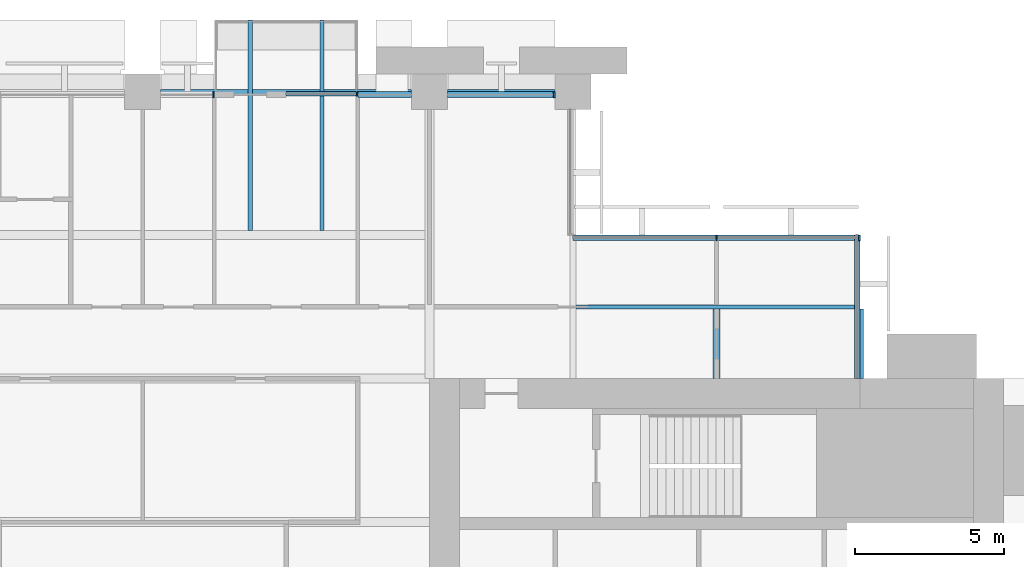
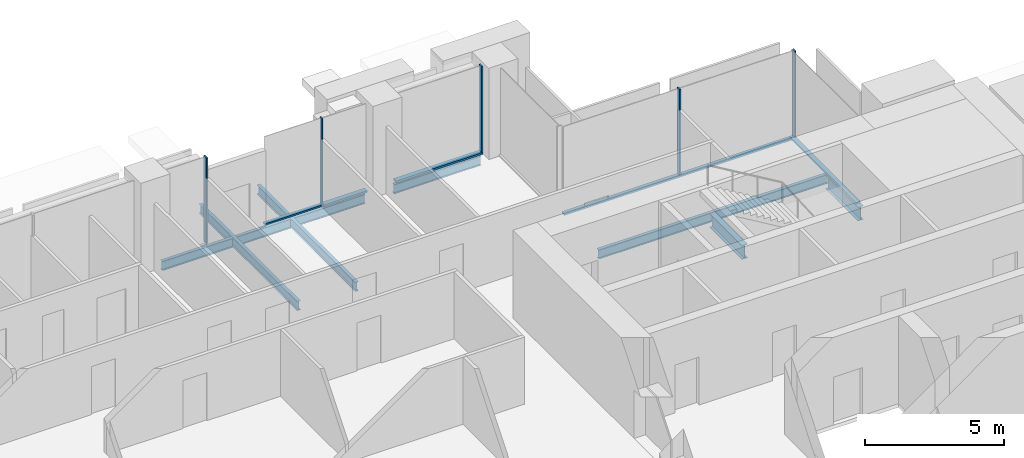
# One storey, part 7 of 15: 10 members, 9 beams, 5 elements without a shape of their own.
"""IFC4 building model written with IfcOpenShell, lengths in metres."""

from ifc_helpers import new_model, si_unit, direction, frame, origin, origin_2d, place, context, subcontext, project, spatial, rectangle, i_section, extrude, material, material_profile, profile_set, type_object, element, aggregate, save


model = new_model("IFC4")

# Units and contexts
model_context = context("Model", 3, precision=1e-05, world=origin(), true_north=direction((0.0, 1.0)))
body_context = subcontext(model_context, "Body", "Model", "MODEL_VIEW")
ifc_project = project(units=[si_unit("LENGTHUNIT", "METRE"), si_unit("AREAUNIT", "SQUARE_METRE"), si_unit("VOLUMEUNIT", "CUBIC_METRE"), si_unit("PLANEANGLEUNIT", "RADIAN"), si_unit("MASSUNIT", "GRAM", prefix="KILO")], contexts=[model_context])

# Site, building, storey
site_placement = place(None, origin())
site = spatial("IfcSite", under=ifc_project, at=site_placement, CompositionType="ELEMENT")
building_placement = place(site_placement, origin())
building = spatial("IfcBuilding", under=site, at=building_placement, Name="Baori Bourse Tower", CompositionType="ELEMENT")
storey_placement = place(building_placement, frame((0.0, 0.0, 140.10009765625)))
storey = spatial("IfcBuildingStorey", under=building, at=storey_placement, Name="L30", CompositionType="ELEMENT", Elevation=140.10009765625)

# Beams
ifc_material_1 = material(Name="Steel A992 Gr 50", Category="steel")
ifc_material_profile_1 = material_profile(ifc_material_1, i_section(OverallWidth=0.140380859375, OverallDepth=0.40380859375, WebThickness=0.007080078125, FlangeThickness=0.01123046875, at=origin_2d()), Name="W16x31")
ifc_profile_set_1 = profile_set([ifc_material_profile_1], Name="Steel A992 Gr 50")
beam_type_1 = type_object("IfcBeamType", Name="Balcony beam W16x31", PredefinedType="BEAM", material=ifc_profile_set_1)
for number, where, z_axis, x_axis, name in (
    (1, (32.39990234375, 50.39990234375, -0.362060546875), (0.0, -1.0, 0.0), (1.0, 0.0, 0.0), "Balcony beam L30"),
    (2, (34.800048828125, 50.39990234375, -0.362060546875), (0.0, -1.0, 0.0), (1.0, 0.0, 0.0), "Balcony beam L30"),
):
    element("IfcBeam", number, at=place(storey_placement, frame(where, z_axis=z_axis, x_axis=x_axis)), inside=storey, type_object=beam_type_1, Name=name, PredefinedType="BEAM", context=body_context, shape_type="SweptSolid", body=[
        extrude(i_section(OverallWidth=0.140380859375, OverallDepth=0.40380859375, WebThickness=0.007080078125, FlangeThickness=0.01123046875, at=origin_2d()), origin(), (0.0, 0.0, 1.0), 7.050048828125),
    ])

# Curtain wall, member
ifc_material_2 = material(Name="Pale anodised aluminium", Category="aluminium")
curtain_wall_type_1 = type_object("IfcCurtainWallType", Name="CW1 Curtain wall", PredefinedType="NOTDEFINED", material=ifc_material_2)
curtain_wall_1_placement = place(storey_placement, origin())
curtain_wall_1 = element("IfcCurtainWall", 3, at=curtain_wall_1_placement, inside=storey, type_object=curtain_wall_type_1, Name="Curtain wall CW1 L30 4", PredefinedType="NOTDEFINED")
ifc_material_3 = material(Name="Pale anodised aluminium", Category="aluminium")
ifc_material_profile_2 = material_profile(ifc_material_3, rectangle(XDim=0.199951171875, YDim=0.06005859375, at=origin_2d()), Name="Mullion 60x200")
ifc_profile_set_2 = profile_set([ifc_material_profile_2], Name="Pale anodised aluminium")
member_type_1 = type_object("IfcMemberType", Name="CW1 Curtain wall mullion", PredefinedType="MULLION", material=ifc_profile_set_2)
member_1_placement = place(storey_placement, frame((42.570068359375, 47.89990234375, 0.079833984375), z_axis=(0.0, 0.0, 1.0), x_axis=(0.0, -1.0, 0.0)))
member_1 = element("IfcMember", 4, at=member_1_placement, type_object=member_type_1, Name="Curtain wall CW1 mullion", PredefinedType="MULLION", context=body_context, shape_type="SweptSolid", body=[
    extrude(rectangle(XDim=0.199951171875, YDim=0.06005859375, at=origin_2d()), origin(), (0.0, 0.0, 1.0), 3.760009765625),
])

curtain_wall_2_placement = place(storey_placement, origin())
curtain_wall_2 = element("IfcCurtainWall", 5, at=curtain_wall_2_placement, inside=storey, type_object=curtain_wall_type_1, Name="Curtain wall CW1 L30 6", PredefinedType="NOTDEFINED")
member_2_placement = place(storey_placement, frame((31.169921875, 47.89990234375, 0.079833984375), z_axis=(0.0, 0.0, 1.0), x_axis=(0.0, -1.0, 0.0)))
member_2 = element("IfcMember", 6, at=member_2_placement, type_object=member_type_1, Name="Curtain wall CW1 mullion", PredefinedType="MULLION", context=body_context, shape_type="SweptSolid", body=[
    extrude(rectangle(XDim=0.199951171875, YDim=0.06005859375, at=origin_2d()), origin(), (0.0, 0.0, 1.0), 3.760009765625),
])
aggregate(curtain_wall_2, [member_2])

# Member
ifc_material_4 = material(Name="Pale anodised aluminium", Category="aluminium")
ifc_material_profile_3 = material_profile(ifc_material_4, rectangle(XDim=0.199951171875, YDim=0.080078125, at=origin_2d()), Name="Transom 80x200")
ifc_profile_set_3 = profile_set([ifc_material_profile_3], Name="Pale anodised aluminium")
member_type_2 = type_object("IfcMemberType", Name="CW1 Curtain wall transom", PredefinedType="USERDEFINED", material=ifc_profile_set_3)
member_3_placement = place(storey_placement, frame((42.60009765625, 47.89990234375, 0.039794921875), z_axis=(-1.0, 0.0, 0.0), x_axis=(0.0, -1.0, 0.0)))
member_3 = element("IfcMember", 7, at=member_3_placement, type_object=member_type_2, Name="Curtain wall CW1 sill rail", ObjectType="TRANSOM", PredefinedType="USERDEFINED", context=body_context, shape_type="SweptSolid", body=[
    extrude(rectangle(XDim=0.199951171875, YDim=0.080078125, at=origin_2d()), origin(), (0.0, 0.0, 1.0), 3.60009765625),
])

member_4_placement = place(storey_placement, frame((37.800048828125, 47.89990234375, 0.039794921875), z_axis=(-1.0, 0.0, 0.0), x_axis=(0.0, -1.0, 0.0)))
member_4 = element("IfcMember", 8, at=member_4_placement, type_object=member_type_2, Name="Curtain wall CW1 sill rail", ObjectType="TRANSOM", PredefinedType="USERDEFINED", context=body_context, shape_type="SweptSolid", body=[
    extrude(rectangle(XDim=0.199951171875, YDim=0.080078125, at=origin_2d()), origin(), (0.0, 0.0, 1.0), 1.800048828125),
])

aggregate(curtain_wall_1, [member_3, member_1, member_4])

# Curtain wall, members
ifc_material_5 = material(Name="Pale anodised aluminium", Category="aluminium")
curtain_wall_type_2 = type_object("IfcCurtainWallType", Name="CW2 Curtain wall", PredefinedType="NOTDEFINED", material=ifc_material_5)
curtain_wall_3_placement = place(storey_placement, origin())
curtain_wall_3 = element("IfcCurtainWall", 9, at=curtain_wall_3_placement, inside=storey, type_object=curtain_wall_type_2, Name="Curtain wall CW2 L30 2", PredefinedType="NOTDEFINED")
ifc_material_6 = material(Name="Pale anodised aluminium", Category="aluminium")
ifc_material_profile_4 = material_profile(ifc_material_6, rectangle(XDim=0.179931640625, YDim=0.054931640625, at=origin_2d()), Name="Mullion 55x180")
ifc_profile_set_4 = profile_set([ifc_material_profile_4], Name="Pale anodised aluminium")
member_type_3 = type_object("IfcMemberType", Name="CW2 Curtain wall mullion", PredefinedType="MULLION", material=ifc_profile_set_4)
member_5_placement = place(storey_placement, frame((52.7724609375, 43.110107421875, 0.06982421875), z_axis=(0.0, 0.0, 1.0), x_axis=(0.0, -1.0, 0.0)))
member_5 = element("IfcMember", 10, at=member_5_placement, type_object=member_type_3, Name="Curtain wall CW2 mullion", PredefinedType="MULLION", context=body_context, shape_type="SweptSolid", body=[
    extrude(rectangle(XDim=0.179931640625, YDim=0.054931640625, at=origin_2d()), origin(), (0.0, 0.0, 1.0), 3.77001953125),
])
member_6_placement = place(storey_placement, frame((48.0, 43.110107421875, 0.06982421875), z_axis=(0.0, 0.0, 1.0), x_axis=(0.0, -1.0, 0.0)))
member_6 = element("IfcMember", 11, at=member_6_placement, type_object=member_type_3, Name="Curtain wall CW2 mullion", PredefinedType="MULLION", context=body_context, shape_type="SweptSolid", body=[
    extrude(rectangle(XDim=0.179931640625, YDim=0.054931640625, at=origin_2d()), origin(), (0.0, 0.0, 1.0), 3.77001953125),
])

# Curtain wall, member
curtain_wall_4_placement = place(storey_placement, origin())
curtain_wall_4 = element("IfcCurtainWall", 12, at=curtain_wall_4_placement, inside=storey, type_object=curtain_wall_type_2, Name="Curtain wall CW2 L30 1", PredefinedType="NOTDEFINED")
ifc_material_7 = material(Name="Pale anodised aluminium", Category="aluminium")
ifc_material_profile_5 = material_profile(ifc_material_7, rectangle(XDim=0.179931640625, YDim=0.070068359375, at=origin_2d()), Name="Transom 70x180")
ifc_profile_set_5 = profile_set([ifc_material_profile_5], Name="Pale anodised aluminium")
member_type_4 = type_object("IfcMemberType", Name="CW2 Curtain wall transom", PredefinedType="USERDEFINED", material=ifc_profile_set_5)
member_7_placement = place(storey_placement, frame((52.7099609375, 38.39990234375, 0.034912109375), z_axis=(0.0, 1.0, 0.0), x_axis=(-1.0, 0.0, 0.0)))
member_7 = element("IfcMember", 13, at=member_7_placement, type_object=member_type_4, Name="Curtain wall CW2 sill rail", ObjectType="TRANSOM", PredefinedType="USERDEFINED", context=body_context, shape_type="SweptSolid", body=[
    extrude(rectangle(XDim=0.179931640625, YDim=0.070068359375, at=origin_2d()), origin(), (0.0, 0.0, 1.0), 4.800048828125),
])
aggregate(curtain_wall_4, [member_7])

# Member
member_8_placement = place(storey_placement, frame((52.800048828125, 43.110107421875, 0.034912109375), z_axis=(-1.0, 0.0, 0.0), x_axis=(0.0, -1.0, 0.0)))
member_8 = element("IfcMember", 14, at=member_8_placement, type_object=member_type_4, Name="Curtain wall CW2 sill rail", ObjectType="TRANSOM", PredefinedType="USERDEFINED", context=body_context, shape_type="SweptSolid", body=[
    extrude(rectangle(XDim=0.179931640625, YDim=0.070068359375, at=origin_2d()), origin(), (0.0, 0.0, 1.0), 9.60009765625),
])

aggregate(curtain_wall_3, [member_8, member_5, member_6])

# Curtain wall, members
ifc_material_8 = material(Name="Pale anodised aluminium", Category="aluminium")
curtain_wall_type_3 = type_object("IfcCurtainWallType", Name="CW6 Curtain wall", PredefinedType="NOTDEFINED", material=ifc_material_8)
curtain_wall_5_placement = place(storey_placement, origin())
curtain_wall_5 = element("IfcCurtainWall", 15, at=curtain_wall_5_placement, inside=storey, type_object=curtain_wall_type_3, Name="Curtain wall CW6 L30 5", PredefinedType="NOTDEFINED")
ifc_material_9 = material(Name="Pale anodised aluminium", Category="aluminium")
ifc_material_profile_6 = material_profile(ifc_material_9, rectangle(XDim=0.14990234375, YDim=0.050048828125, at=origin_2d()), Name="Mullion 50x150")
ifc_profile_set_6 = profile_set([ifc_material_profile_6], Name="Pale anodised aluminium")
member_type_5 = type_object("IfcMemberType", Name="CW6 Curtain wall mullion", PredefinedType="MULLION", material=ifc_profile_set_6)
member_9_placement = place(storey_placement, frame((35.97509765625, 47.925048828125, 0.06494140625), z_axis=(0.0, 0.0, 1.0), x_axis=(0.0, -1.0, 0.0)))
member_9 = element("IfcMember", 16, at=member_9_placement, type_object=member_type_5, Name="Curtain wall CW6 mullion", PredefinedType="MULLION", context=body_context, shape_type="SweptSolid", body=[
    extrude(rectangle(XDim=0.14990234375, YDim=0.050048828125, at=origin_2d()), origin(), (0.0, 0.0, 1.0), 3.77490234375),
])
ifc_material_10 = material(Name="Pale anodised aluminium", Category="aluminium")
ifc_material_profile_7 = material_profile(ifc_material_10, rectangle(XDim=0.14990234375, YDim=0.06494140625, at=origin_2d()), Name="Transom 65x150")
ifc_profile_set_7 = profile_set([ifc_material_profile_7], Name="Pale anodised aluminium")
member_type_6 = type_object("IfcMemberType", Name="CW6 Curtain wall transom", PredefinedType="USERDEFINED", material=ifc_profile_set_7)
member_10_placement = place(storey_placement, frame((36.0, 47.925048828125, 0.032470703125), z_axis=(-1.0, 0.0, 0.0), x_axis=(0.0, -1.0, 0.0)))
member_10 = element("IfcMember", 17, at=member_10_placement, type_object=member_type_6, Name="Curtain wall CW6 sill rail", ObjectType="TRANSOM", PredefinedType="USERDEFINED", context=body_context, shape_type="SweptSolid", body=[
    extrude(rectangle(XDim=0.14990234375, YDim=0.06494140625, at=origin_2d()), origin(), (0.0, 0.0, 1.0), 2.39990234375),
])
aggregate(curtain_wall_5, [member_10, member_9])

# Beams
ifc_material_11 = material(Name="Steel A992 Gr 50", Category="steel")
ifc_material_profile_8 = material_profile(ifc_material_11, i_section(OverallWidth=0.227783203125, OverallDepth=0.60205078125, WebThickness=0.010498046875, FlangeThickness=0.014892578125, at=origin_2d()), Name="W24x68")
ifc_profile_set_8 = profile_set([ifc_material_profile_8], Name="Steel A992 Gr 50")
beam_type_2 = type_object("IfcBeamType", Name="Core bracket W24x68", PredefinedType="BEAM", material=ifc_profile_set_8)
for number, where, z_axis, x_axis, name in (
    (18, (48.0, 38.39990234375, -0.461181640625), (0.0, 1.0, 0.0), (-1.0, 0.0, 0.0), "Core bracket L30"),
    (19, (52.800048828125, 38.39990234375, -0.461181640625), (0.0, 1.0, 0.0), (-1.0, 0.0, 0.0), "Core bracket L30"),
):
    element("IfcBeam", number, at=place(storey_placement, frame(where, z_axis=z_axis, x_axis=x_axis)), inside=storey, type_object=beam_type_2, Name=name, PredefinedType="BEAM", context=body_context, shape_type="SweptSolid", body=[
        extrude(i_section(OverallWidth=0.227783203125, OverallDepth=0.60205078125, WebThickness=0.010498046875, FlangeThickness=0.014892578125, at=origin_2d()), origin(), (0.0, 0.0, 1.0), 2.329833984375),
    ])
ifc_material_12 = material(Name="Steel A992 Gr 50", Category="steel")
ifc_material_profile_9 = material_profile(ifc_material_12, i_section(OverallWidth=0.140380859375, OverallDepth=0.40380859375, WebThickness=0.007080078125, FlangeThickness=0.01123046875, at=origin_2d()), Name="W16x31")
ifc_profile_set_9 = profile_set([ifc_material_profile_9], Name="Steel A992 Gr 50")
beam_type_3 = type_object("IfcBeamType", Name="Edge beam W16x31", PredefinedType="BEAM", material=ifc_profile_set_9)
beam_1_placement = place(storey_placement, frame((29.39990234375, 48.0, -0.362060546875), z_axis=(1.0, 0.0, 0.0), x_axis=(0.0, 1.0, 0.0)))
element("IfcBeam", 20, at=beam_1_placement, inside=storey, type_object=beam_type_3, Name="Edge beam L30", PredefinedType="BEAM", context=body_context, shape_type="SweptSolid", body=[
    extrude(i_section(OverallWidth=0.140380859375, OverallDepth=0.40380859375, WebThickness=0.007080078125, FlangeThickness=0.01123046875, at=origin_2d()), origin(), (0.0, 0.0, 1.0), 2.929931640625),
])
beam_2_placement = place(storey_placement, frame((32.47021484375, 48.0, -0.362060546875), z_axis=(1.0, 0.0, 0.0), x_axis=(0.0, 1.0, 0.0)))
element("IfcBeam", 21, at=beam_2_placement, inside=storey, type_object=beam_type_3, Name="Edge beam L30", PredefinedType="BEAM", context=body_context, shape_type="SweptSolid", body=[
    extrude(i_section(OverallWidth=0.140380859375, OverallDepth=0.40380859375, WebThickness=0.007080078125, FlangeThickness=0.01123046875, at=origin_2d()), origin(), (0.0, 0.0, 1.0), 2.259521484375),
])
beam_3_placement = place(storey_placement, frame((34.8701171875, 48.0, -0.362060546875), z_axis=(1.0, 0.0, 0.0), x_axis=(0.0, 1.0, 0.0)))
element("IfcBeam", 22, at=beam_3_placement, inside=storey, type_object=beam_type_3, Name="Edge beam L30", PredefinedType="BEAM", context=body_context, shape_type="SweptSolid", body=[
    extrude(i_section(OverallWidth=0.140380859375, OverallDepth=0.40380859375, WebThickness=0.007080078125, FlangeThickness=0.01123046875, at=origin_2d()), origin(), (0.0, 0.0, 1.0), 2.929931640625),
])
beam_4_placement = place(storey_placement, frame((39.0, 48.0, -0.362060546875), z_axis=(1.0, 0.0, 0.0), x_axis=(0.0, 1.0, 0.0)))
element("IfcBeam", 23, at=beam_4_placement, inside=storey, type_object=beam_type_3, Name="Edge beam L30", PredefinedType="BEAM", context=body_context, shape_type="SweptSolid", body=[
    extrude(i_section(OverallWidth=0.140380859375, OverallDepth=0.40380859375, WebThickness=0.007080078125, FlangeThickness=0.01123046875, at=origin_2d()), origin(), (0.0, 0.0, 1.0), 3.60009765625),
])
ifc_material_13 = material(Name="Steel A992 Gr 50", Category="steel")
ifc_material_profile_10 = material_profile(ifc_material_13, i_section(OverallWidth=0.140380859375, OverallDepth=0.40380859375, WebThickness=0.007080078125, FlangeThickness=0.01123046875, at=origin_2d()), Name="W16x31")
ifc_profile_set_10 = profile_set([ifc_material_profile_10], Name="Steel A992 Gr 50")
beam_type_4 = type_object("IfcBeamType", Name="Trimmer beam W16x31", PredefinedType="BEAM", material=ifc_profile_set_10)
beam_5_placement = place(storey_placement, frame((43.30615234375, 40.800048828125, -0.362060546875), z_axis=(1.0, 0.0, 0.0), x_axis=(0.0, 1.0, 0.0)))
element("IfcBeam", 24, at=beam_5_placement, inside=storey, type_object=beam_type_4, Name="Trimmer beam L30", PredefinedType="BEAM", context=body_context, shape_type="SweptSolid", body=[
    extrude(i_section(OverallWidth=0.140380859375, OverallDepth=0.40380859375, WebThickness=0.007080078125, FlangeThickness=0.01123046875, at=origin_2d()), origin(), (0.0, 0.0, 1.0), 9.493896484375),
])

save(model, "model.ifc")
